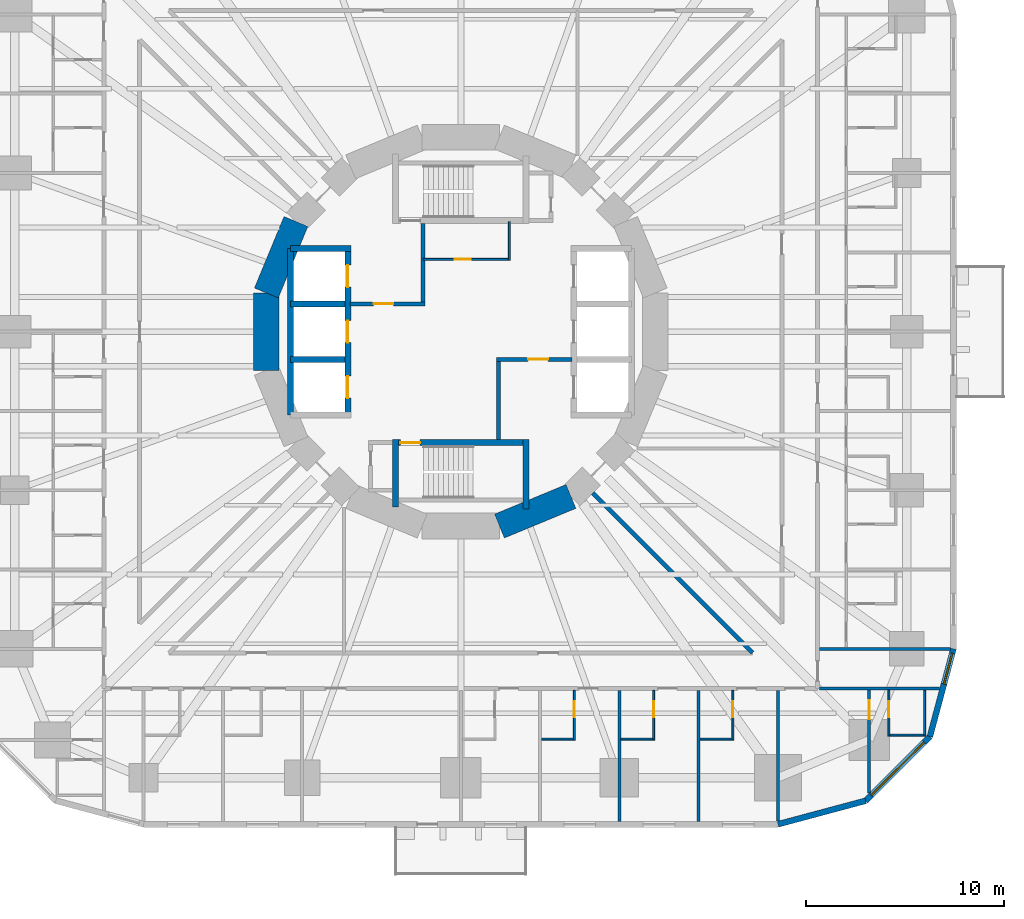
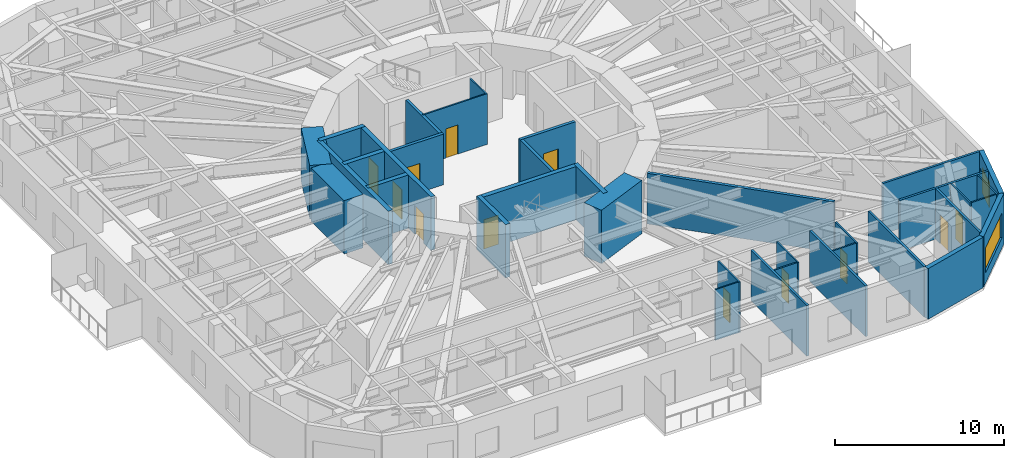
# One storey, part 7 of 14: 36 walls, 12 doors, 2 windows, 14 openings.
"""IFC4 building model written with IfcOpenShell, lengths in metres."""

from ifc_helpers import new_model, si_unit, direction, frame, frame_2d, origin, place, context, subcontext, project, spatial, rectangle, extrude, material, layer, layer_set, type_object, element, fill, save


model = new_model("IFC4")

# Units and contexts
model_context = context("Model", 3, precision=1e-05, world=origin(), true_north=direction((0.0, 1.0)))
body_context = subcontext(model_context, "Body", "Model", "MODEL_VIEW")
ifc_project = project(units=[si_unit("LENGTHUNIT", "METRE"), si_unit("AREAUNIT", "SQUARE_METRE"), si_unit("VOLUMEUNIT", "CUBIC_METRE"), si_unit("PLANEANGLEUNIT", "RADIAN"), si_unit("MASSUNIT", "GRAM", prefix="KILO")], contexts=[model_context])

# Site, building, storey
site_placement = place(None, origin())
site = spatial("IfcSite", under=ifc_project, at=site_placement, CompositionType="ELEMENT")
building_placement = place(site_placement, origin())
building = spatial("IfcBuilding", under=site, at=building_placement, Name="Nakasero Lantern House", CompositionType="ELEMENT")
storey_placement = place(building_placement, frame((0.0, 0.0, 50.64990234375)))
storey = spatial("IfcBuildingStorey", under=building, at=storey_placement, Name="L12", CompositionType="ELEMENT", Elevation=50.64990234375)

# Wall, openings, doors
ifc_material_1 = material(Name="Concrete C50/60", Category="concrete")
ifc_layer_1 = layer(ifc_material_1, 0.300048828125)
ifc_layer_set_1 = layer_set([ifc_layer_1], Name="Core inner wall 300")
wall_type_1 = type_object("IfcWallType", Name="Core inner wall 300", PredefinedType="SHEAR", material=ifc_layer_set_1)
wall_1_placement = place(storey_placement, frame((-5.699951171875, -4.199951171875, 0.0), z_axis=(0.0, 0.0, 1.0), x_axis=(0.0, 1.0, 0.0)))
wall_1 = element("IfcWall", 1, at=wall_1_placement, inside=storey, type_object=wall_type_1, Name="Core inner wall L12 LW", PredefinedType="SHEAR", context=body_context, shape_type="SweptSolid", body=[
    extrude(rectangle(XDim=8.39990234375, YDim=0.300048828125, at=frame_2d((4.199951171875, 0.0))), origin(), (0.0, 0.0, 1.0), 3.85009765625),
])
opening_1_placement = place(wall_1_placement, frame((0.85009765625, 0.0, 0.0)))
opening_1 = element("IfcOpeningElement", 2, at=opening_1_placement, cuts=wall_1, Name="Opening LD", PredefinedType="OPENING", context=body_context, shape_type="SweptSolid", body=[
    extrude(rectangle(XDim=1.10009765625, YDim=2.10009765625, at=frame_2d((0.550048828125, 1.050048828125))), frame((0.0, 0.169921875, 0.0), z_axis=(0.0, -1.0, 0.0), x_axis=(1.0, 0.0, 0.0)), (0.0, 0.0, 1.0), 0.340087890625),
])
opening_2_placement = place(wall_1_placement, frame((3.64990234375, 0.0, 0.0)))
opening_2 = element("IfcOpeningElement", 3, at=opening_2_placement, cuts=wall_1, Name="Opening LD", PredefinedType="OPENING", context=body_context, shape_type="SweptSolid", body=[
    extrude(rectangle(XDim=1.10009765625, YDim=2.10009765625, at=frame_2d((0.550048828125, 1.050048828125))), frame((0.0, 0.169921875, 0.0), z_axis=(0.0, -1.0, 0.0), x_axis=(1.0, 0.0, 0.0)), (0.0, 0.0, 1.0), 0.340087890625),
])
opening_3_placement = place(wall_1_placement, frame((6.449951171875, 0.0, 0.0)))
opening_3 = element("IfcOpeningElement", 4, at=opening_3_placement, cuts=wall_1, Name="Opening LD", PredefinedType="OPENING", context=body_context, shape_type="SweptSolid", body=[
    extrude(rectangle(XDim=1.10009765625, YDim=2.10009765625, at=frame_2d((0.550048828125, 1.050048828125))), frame((0.0, 0.169921875, 0.0), z_axis=(0.0, -1.0, 0.0), x_axis=(1.0, 0.0, 0.0)), (0.0, 0.0, 1.0), 0.340087890625),
])
ifc_material_2 = material(Name="Steel S355", Category="steel")
door_type_1 = type_object("IfcDoorType", Name="Lift landing door E120 1100", OperationType="SLIDING_TO_LEFT", PredefinedType="DOOR", material=ifc_material_2)
door_1_placement = place(opening_1_placement, origin())
door_1 = element("IfcDoor", 5, at=door_1_placement, inside=storey, type_object=door_type_1, Name="Lift landing door LW1", OperationType="SLIDING_TO_LEFT", OverallHeight=2.10009765625, OverallWidth=1.10009765625, PredefinedType="DOOR", context=body_context, shape_type="SweptSolid", body=[
    extrude(rectangle(XDim=1.10009765625, YDim=2.10009765625, at=frame_2d((0.550048828125, 1.050048828125))), frame((0.0, 0.02490234375, 0.0), z_axis=(0.0, -1.0, 0.0), x_axis=(1.0, 0.0, 0.0)), (0.0, 0.0, 1.0), 0.050048828125),
])
fill(opening_1, door_1)
door_2_placement = place(opening_2_placement, origin())
door_2 = element("IfcDoor", 6, at=door_2_placement, inside=storey, type_object=door_type_1, Name="Lift landing door LW2", OperationType="SLIDING_TO_LEFT", OverallHeight=2.10009765625, OverallWidth=1.10009765625, PredefinedType="DOOR", context=body_context, shape_type="SweptSolid", body=[
    extrude(rectangle(XDim=1.10009765625, YDim=2.10009765625, at=frame_2d((0.550048828125, 1.050048828125))), frame((0.0, 0.02490234375, 0.0), z_axis=(0.0, -1.0, 0.0), x_axis=(1.0, 0.0, 0.0)), (0.0, 0.0, 1.0), 0.050048828125),
])
fill(opening_2, door_2)
door_3_placement = place(opening_3_placement, origin())
door_3 = element("IfcDoor", 7, at=door_3_placement, inside=storey, type_object=door_type_1, Name="Lift landing door LW3", OperationType="SLIDING_TO_LEFT", OverallHeight=2.10009765625, OverallWidth=1.10009765625, PredefinedType="DOOR", context=body_context, shape_type="SweptSolid", body=[
    extrude(rectangle(XDim=1.10009765625, YDim=2.10009765625, at=frame_2d((0.550048828125, 1.050048828125))), frame((0.0, 0.02490234375, 0.0), z_axis=(0.0, -1.0, 0.0), x_axis=(1.0, 0.0, 0.0)), (0.0, 0.0, 1.0), 0.050048828125),
])
fill(opening_3, door_3)

# Walls
wall_2_placement = place(storey_placement, frame((-8.60009765625, 4.199951171875, 0.0), z_axis=(0.0, 0.0, 1.0), x_axis=(1.0, 0.0, 0.0)))
element("IfcWall", 8, at=wall_2_placement, inside=storey, type_object=wall_type_1, Name="Core inner wall L12 LWN", PredefinedType="SHEAR", context=body_context, shape_type="SweptSolid", body=[
    extrude(rectangle(XDim=3.050048828125, YDim=0.300048828125, at=frame_2d((1.52490234375, 0.0))), origin(), (0.0, 0.0, 1.0), 3.85009765625),
])
wall_3_placement = place(storey_placement, frame((-8.60009765625, -4.199951171875, 0.0), z_axis=(0.0, 0.0, 1.0), x_axis=(0.0, 1.0, 0.0)))
element("IfcWall", 9, at=wall_3_placement, inside=storey, type_object=wall_type_1, Name="Core inner wall L12 LWB", PredefinedType="SHEAR", context=body_context, shape_type="SweptSolid", body=[
    extrude(rectangle(XDim=8.39990234375, YDim=0.300048828125, at=frame_2d((4.199951171875, 0.0))), origin(), (0.0, 0.0, 1.0), 3.85009765625),
])
for number, where, z_axis, x_axis, name in (
    (10, (-8.60009765625, -1.39990234375, 0.0), (0.0, 0.0, 1.0), (1.0, 0.0, 0.0), "Core inner wall L12 LW1"),
    (11, (-8.60009765625, 1.39990234375, 0.0), (0.0, 0.0, 1.0), (1.0, 0.0, 0.0), "Core inner wall L12 LW2"),
):
    element("IfcWall", number, at=place(storey_placement, frame(where, z_axis=z_axis, x_axis=x_axis)), inside=storey, type_object=wall_type_1, Name=name, PredefinedType="SHEAR", context=body_context, shape_type="SweptSolid", body=[
        extrude(rectangle(XDim=2.75, YDim=0.300048828125, at=frame_2d((1.375, 0.0))), origin(), (0.0, 0.0, 1.0), 3.85009765625),
    ])

# Wall, opening, door
wall_4_placement = place(storey_placement, frame((-3.449951171875, -5.60009765625, 0.0), z_axis=(0.0, 0.0, 1.0), x_axis=(1.0, 0.0, 0.0)))
wall_4 = element("IfcWall", 12, at=wall_4_placement, inside=storey, type_object=wall_type_1, Name="Core inner wall L12 SS", PredefinedType="SHEAR", context=body_context, shape_type="SweptSolid", body=[
    extrude(rectangle(XDim=6.89990234375, YDim=0.300048828125, at=frame_2d((3.449951171875, 0.0))), origin(), (0.0, 0.0, 1.0), 3.85009765625),
])
opening_4_placement = place(wall_4_placement, frame((0.39990234375, 0.0, 0.0)))
opening_4 = element("IfcOpeningElement", 13, at=opening_4_placement, cuts=wall_4, Name="Opening D05", PredefinedType="OPENING", context=body_context, shape_type="SweptSolid", body=[
    extrude(rectangle(XDim=1.0, YDim=2.10009765625, at=frame_2d((0.5, 1.050048828125))), frame((0.0, 0.169921875, 0.0), z_axis=(0.0, -1.0, 0.0), x_axis=(1.0, 0.0, 0.0)), (0.0, 0.0, 1.0), 0.340087890625),
])
ifc_material_3 = material(Name="Timber C24", Category="wood")
door_type_2 = type_object("IfcDoorType", Name="Core door FD60S 1000", OperationType="SINGLE_SWING_LEFT", PredefinedType="DOOR", material=ifc_material_3)
door_4_placement = place(opening_4_placement, origin())
door_4 = element("IfcDoor", 14, at=door_4_placement, inside=storey, type_object=door_type_2, Name="Door L12 D-ST2", OperationType="SINGLE_SWING_LEFT", OverallHeight=2.10009765625, OverallWidth=1.0, PredefinedType="DOOR", context=body_context, shape_type="SweptSolid", body=[
    extrude(rectangle(XDim=1.0, YDim=2.10009765625, at=frame_2d((0.5, 1.050048828125))), frame((0.0, 0.02490234375, 0.0), z_axis=(0.0, -1.0, 0.0), x_axis=(1.0, 0.0, 0.0)), (0.0, 0.0, 1.0), 0.050048828125),
])
fill(opening_4, door_4)

# Walls
wall_5_placement = place(storey_placement, frame((-3.300048828125, -5.449951171875, 0.0), z_axis=(0.0, 0.0, 1.0), x_axis=(0.0, -1.0, 0.0)))
element("IfcWall", 15, at=wall_5_placement, inside=storey, type_object=wall_type_1, Name="Core inner wall L12 SSW", PredefinedType="SHEAR", context=body_context, shape_type="SweptSolid", body=[
    extrude(rectangle(XDim=3.400146484375, YDim=0.300048828125, at=frame_2d((1.7001953125, 0.0))), origin(), (0.0, 0.0, 1.0), 3.85009765625),
])
wall_6_placement = place(storey_placement, frame((3.300048828125, -5.449951171875, 0.0), z_axis=(0.0, 0.0, 1.0), x_axis=(0.0, -1.0, 0.0)))
element("IfcWall", 16, at=wall_6_placement, inside=storey, type_object=wall_type_1, Name="Core inner wall L12 SSE", PredefinedType="SHEAR", context=body_context, shape_type="SweptSolid", body=[
    extrude(rectangle(XDim=3.5, YDim=0.300048828125, at=frame_2d((1.75, 0.0))), origin(), (0.0, 0.0, 1.0), 3.85009765625),
])

# Wall, opening, door
ifc_material_4 = material(Name="Blockwork", Category="masonry")
ifc_layer_2 = layer(ifc_material_4, 0.10009765625)
ifc_layer_set_2 = layer_set([ifc_layer_2], Name="Core room wall 100")
wall_type_2 = type_object("IfcWallType", Name="Core room wall 100", PredefinedType="PARTITIONING", material=ifc_layer_set_2)
wall_7_placement = place(storey_placement, frame((-1.89990234375, 3.64990234375, 0.0), z_axis=(0.0, 0.0, 1.0), x_axis=(1.0, 0.0, 0.0)))
wall_7 = element("IfcWall", 17, at=wall_7_placement, inside=storey, type_object=wall_type_2, Name="Core room wall L12 CR-NES", PredefinedType="PARTITIONING", context=body_context, shape_type="SweptSolid", body=[
    extrude(rectangle(XDim=4.39990234375, YDim=0.10009765625, at=frame_2d((2.199951171875, 0.0))), origin(), (0.0, 0.0, 1.0), 3.650146484375),
])
opening_5_placement = place(wall_7_placement, frame((1.60009765625, 0.0, 0.0)))
opening_5 = element("IfcOpeningElement", 18, at=opening_5_placement, cuts=wall_7, Name="Opening D15", PredefinedType="OPENING", context=body_context, shape_type="SweptSolid", body=[
    extrude(rectangle(XDim=0.800048828125, YDim=2.10009765625, at=frame_2d((0.39990234375, 1.050048828125))), frame((0.0, 0.070068359375, 0.0), z_axis=(0.0, -1.0, 0.0), x_axis=(1.0, 0.0, 0.0)), (0.0, 0.0, 1.0), 0.14013671875),
])
ifc_material_5 = material(Name="Timber C24", Category="wood")
door_type_3 = type_object("IfcDoorType", Name="Cleaner's store door FD30S 800", OperationType="SINGLE_SWING_LEFT", PredefinedType="DOOR", material=ifc_material_5)
door_5_placement = place(opening_5_placement, origin())
door_5 = element("IfcDoor", 19, at=door_5_placement, inside=storey, type_object=door_type_3, Name="Door L12 D-CR-NE", OperationType="SINGLE_SWING_LEFT", OverallHeight=2.10009765625, OverallWidth=0.800048828125, PredefinedType="DOOR", context=body_context, shape_type="SweptSolid", body=[
    extrude(rectangle(XDim=0.800048828125, YDim=2.10009765625, at=frame_2d((0.39990234375, 1.050048828125))), frame((0.0, 0.02490234375, 0.0), z_axis=(0.0, -1.0, 0.0), x_axis=(1.0, 0.0, 0.0)), (0.0, 0.0, 1.0), 0.050048828125),
])
fill(opening_5, door_5)

# Walls
wall_8_placement = place(storey_placement, frame((2.449951171875, 3.60009765625, 0.0), z_axis=(0.0, 0.0, 1.0), x_axis=(0.0, 1.0, 0.0)))
element("IfcWall", 20, at=wall_8_placement, inside=storey, type_object=wall_type_2, Name="Core room wall L12 CR-NEE", PredefinedType="PARTITIONING", context=body_context, shape_type="SweptSolid", body=[
    extrude(rectangle(XDim=1.949951171875, YDim=0.10009765625, at=frame_2d((0.97509765625, 0.0))), origin(), (0.0, 0.0, 1.0), 3.650146484375),
])
ifc_material_6 = material(Name="Concrete C50/60", Category="concrete")
ifc_layer_3 = layer(ifc_material_6, 1.300048828125)
ifc_layer_set_3 = layer_set([ifc_layer_3], Name="Core wall 1300")
wall_type_3 = type_object("IfcWallType", Name="Core wall 1300", PredefinedType="SHEAR", material=ifc_layer_set_3)
for number, where, z_axis, x_axis, name in (
    (21, (-8.314697265625, 5.5556640625, 0.0), (0.0, 0.0, 1.0), (-0.382690736062, -0.923876507187, 0.0), "Core wall L12 facet 7"),
    (22, (-9.807861328125, 1.950927734375, 0.0), (0.0, 0.0, 1.0), (0.0, -1.0, 0.0), "Core wall L12 facet 8"),
    (23, (1.950927734375, -9.807861328125, 0.0), (0.0, 0.0, 1.0), (0.923876507187, 0.382690736062, 0.0), "Core wall L12 facet 13"),
):
    element("IfcWall", number, at=place(storey_placement, frame(where, z_axis=z_axis, x_axis=x_axis)), inside=storey, type_object=wall_type_3, Name=name, PredefinedType="SHEAR", context=body_context, shape_type="SweptSolid", body=[
        extrude(rectangle(XDim=3.90185546875, YDim=1.300048828125, at=frame_2d((1.950927734375, 0.0))), origin(), (0.0, 0.0, 1.0), 3.85009765625),
    ])
ifc_material_7 = material(Name="Blockwork", Category="masonry")
ifc_layer_4 = layer(ifc_material_7, 0.199951171875)
ifc_layer_set_4 = layer_set([ifc_layer_4], Name="Corridor wall 200")
wall_type_4 = type_object("IfcWallType", Name="Corridor wall 200", PredefinedType="PARTITIONING", material=ifc_layer_set_4)
wall_9_placement = place(storey_placement, frame((6.65234375, -8.13720703125, 0.0), z_axis=(0.0, 0.0, 1.0), x_axis=(0.707106781187, -0.707106781187, 0.0)))
element("IfcWall", 24, at=wall_9_placement, inside=storey, type_object=wall_type_4, Name="Corridor wall L12 PS14b", PredefinedType="PARTITIONING", context=body_context, shape_type="SweptSolid", body=[
    extrude(rectangle(XDim=11.40234375, YDim=0.199951171875, at=frame_2d((5.701171875, 0.0))), origin(), (0.0, 0.0, 1.0), 3.650146484375),
])

# Wall, opening, door
ifc_material_8 = material(Name="Blockwork", Category="masonry")
ifc_layer_5 = layer(ifc_material_8, 0.10009765625)
ifc_layer_set_5 = layer_set([ifc_layer_5], Name="En-suite wall 100")
wall_type_5 = type_object("IfcWallType", Name="En-suite wall 100", PredefinedType="PARTITIONING", material=ifc_layer_set_5)
wall_10_placement = place(storey_placement, frame((5.72509765625, -18.10009765625, 0.0), z_axis=(0.0, 0.0, 1.0), x_axis=(0.0, -1.0, 0.0)))
wall_10 = element("IfcWall", 25, at=wall_10_placement, inside=storey, type_object=wall_type_5, Name="En-suite wall L12 ES3-06", PredefinedType="PARTITIONING", context=body_context, shape_type="SweptSolid", body=[
    extrude(rectangle(XDim=2.5, YDim=0.10009765625, at=frame_2d((1.25, 0.0))), origin(), (0.0, 0.0, 1.0), 3.650146484375),
])
opening_6_placement = place(wall_10_placement, frame((0.550048828125, 0.0, 0.0)))
opening_6 = element("IfcOpeningElement", 26, at=opening_6_placement, cuts=wall_10, Name="Opening D02", PredefinedType="OPENING", context=body_context, shape_type="SweptSolid", body=[
    extrude(rectangle(XDim=0.800048828125, YDim=2.10009765625, at=frame_2d((0.39990234375, 1.050048828125))), frame((0.0, 0.070068359375, 0.0), z_axis=(0.0, -1.0, 0.0), x_axis=(1.0, 0.0, 0.0)), (0.0, 0.0, 1.0), 0.14013671875),
])
ifc_material_9 = material(Name="Timber C24", Category="wood")
door_type_4 = type_object("IfcDoorType", Name="En-suite door 800", OperationType="SINGLE_SWING_RIGHT", PredefinedType="DOOR", material=ifc_material_9)
door_6_placement = place(opening_6_placement, origin())
door_6 = element("IfcDoor", 27, at=door_6_placement, inside=storey, type_object=door_type_4, Name="Door L12 DE3-06", OperationType="SINGLE_SWING_LEFT", OverallHeight=2.10009765625, OverallWidth=0.800048828125, PredefinedType="DOOR", context=body_context, shape_type="SweptSolid", body=[
    extrude(rectangle(XDim=0.800048828125, YDim=2.10009765625, at=frame_2d((0.39990234375, 1.050048828125))), frame((0.0, 0.02490234375, 0.0), z_axis=(0.0, -1.0, 0.0), x_axis=(1.0, 0.0, 0.0)), (0.0, 0.0, 1.0), 0.050048828125),
])
fill(opening_6, door_6)

# Wall
wall_11_placement = place(storey_placement, frame((4.074951171875, -20.550048828125, 0.0), z_axis=(0.0, 0.0, 1.0), x_axis=(1.0, 0.0, 0.0)))
element("IfcWall", 28, at=wall_11_placement, inside=storey, type_object=wall_type_5, Name="En-suite wall L12 EE3-06", PredefinedType="PARTITIONING", context=body_context, shape_type="SweptSolid", body=[
    extrude(rectangle(XDim=1.60009765625, YDim=0.10009765625, at=frame_2d((0.800048828125, 0.0))), origin(), (0.0, 0.0, 1.0), 3.650146484375),
])

# Wall, opening, door
wall_12_placement = place(storey_placement, frame((9.72509765625, -18.10009765625, 0.0), z_axis=(0.0, 0.0, 1.0), x_axis=(0.0, -1.0, 0.0)))
wall_12 = element("IfcWall", 29, at=wall_12_placement, inside=storey, type_object=wall_type_5, Name="En-suite wall L12 ES3-07", PredefinedType="PARTITIONING", context=body_context, shape_type="SweptSolid", body=[
    extrude(rectangle(XDim=2.5, YDim=0.10009765625, at=frame_2d((1.25, 0.0))), origin(), (0.0, 0.0, 1.0), 3.650146484375),
])
opening_7_placement = place(wall_12_placement, frame((0.550048828125, 0.0, 0.0)))
opening_7 = element("IfcOpeningElement", 30, at=opening_7_placement, cuts=wall_12, Name="Opening D02", PredefinedType="OPENING", context=body_context, shape_type="SweptSolid", body=[
    extrude(rectangle(XDim=0.800048828125, YDim=2.10009765625, at=frame_2d((0.39990234375, 1.050048828125))), frame((0.0, 0.070068359375, 0.0), z_axis=(0.0, -1.0, 0.0), x_axis=(1.0, 0.0, 0.0)), (0.0, 0.0, 1.0), 0.14013671875),
])
door_7_placement = place(opening_7_placement, origin())
door_7 = element("IfcDoor", 31, at=door_7_placement, inside=storey, type_object=door_type_4, Name="Door L12 DE3-07", OperationType="SINGLE_SWING_LEFT", OverallHeight=2.10009765625, OverallWidth=0.800048828125, PredefinedType="DOOR", context=body_context, shape_type="SweptSolid", body=[
    extrude(rectangle(XDim=0.800048828125, YDim=2.10009765625, at=frame_2d((0.39990234375, 1.050048828125))), frame((0.0, 0.02490234375, 0.0), z_axis=(0.0, -1.0, 0.0), x_axis=(1.0, 0.0, 0.0)), (0.0, 0.0, 1.0), 0.050048828125),
])
fill(opening_7, door_7)

# Wall
wall_13_placement = place(storey_placement, frame((8.074951171875, -20.550048828125, 0.0), z_axis=(0.0, 0.0, 1.0), x_axis=(1.0, 0.0, 0.0)))
element("IfcWall", 32, at=wall_13_placement, inside=storey, type_object=wall_type_5, Name="En-suite wall L12 EE3-07", PredefinedType="PARTITIONING", context=body_context, shape_type="SweptSolid", body=[
    extrude(rectangle(XDim=1.60009765625, YDim=0.10009765625, at=frame_2d((0.800048828125, 0.0))), origin(), (0.0, 0.0, 1.0), 3.650146484375),
])

# Wall, opening, door
wall_14_placement = place(storey_placement, frame((13.72509765625, -18.10009765625, 0.0), z_axis=(0.0, 0.0, 1.0), x_axis=(0.0, -1.0, 0.0)))
wall_14 = element("IfcWall", 33, at=wall_14_placement, inside=storey, type_object=wall_type_5, Name="En-suite wall L12 ES3-08", PredefinedType="PARTITIONING", context=body_context, shape_type="SweptSolid", body=[
    extrude(rectangle(XDim=2.5, YDim=0.10009765625, at=frame_2d((1.25, 0.0))), origin(), (0.0, 0.0, 1.0), 3.650146484375),
])
opening_8_placement = place(wall_14_placement, frame((0.550048828125, 0.0, 0.0)))
opening_8 = element("IfcOpeningElement", 34, at=opening_8_placement, cuts=wall_14, Name="Opening D02", PredefinedType="OPENING", context=body_context, shape_type="SweptSolid", body=[
    extrude(rectangle(XDim=0.800048828125, YDim=2.10009765625, at=frame_2d((0.39990234375, 1.050048828125))), frame((0.0, 0.070068359375, 0.0), z_axis=(0.0, -1.0, 0.0), x_axis=(1.0, 0.0, 0.0)), (0.0, 0.0, 1.0), 0.14013671875),
])
door_8_placement = place(opening_8_placement, origin())
door_8 = element("IfcDoor", 35, at=door_8_placement, inside=storey, type_object=door_type_4, Name="Door L12 DE3-08", OperationType="SINGLE_SWING_LEFT", OverallHeight=2.10009765625, OverallWidth=0.800048828125, PredefinedType="DOOR", context=body_context, shape_type="SweptSolid", body=[
    extrude(rectangle(XDim=0.800048828125, YDim=2.10009765625, at=frame_2d((0.39990234375, 1.050048828125))), frame((0.0, 0.02490234375, 0.0), z_axis=(0.0, -1.0, 0.0), x_axis=(1.0, 0.0, 0.0)), (0.0, 0.0, 1.0), 0.050048828125),
])
fill(opening_8, door_8)

# Wall
wall_15_placement = place(storey_placement, frame((12.074951171875, -20.550048828125, 0.0), z_axis=(0.0, 0.0, 1.0), x_axis=(1.0, 0.0, 0.0)))
element("IfcWall", 36, at=wall_15_placement, inside=storey, type_object=wall_type_5, Name="En-suite wall L12 EE3-08", PredefinedType="PARTITIONING", context=body_context, shape_type="SweptSolid", body=[
    extrude(rectangle(XDim=1.60009765625, YDim=0.10009765625, at=frame_2d((0.800048828125, 0.0))), origin(), (0.0, 0.0, 1.0), 3.650146484375),
])

# Wall, opening, door
wall_16_placement = place(storey_placement, frame((21.59619140625, -18.06494140625, 0.0), z_axis=(0.0, 0.0, 1.0), x_axis=(0.0, -1.0, 0.0)))
wall_16 = element("IfcWall", 37, at=wall_16_placement, inside=storey, type_object=wall_type_5, Name="En-suite wall L12 ES3-09", PredefinedType="PARTITIONING", context=body_context, shape_type="SweptSolid", body=[
    extrude(rectangle(XDim=2.3349609375, YDim=0.10009765625, at=frame_2d((1.16748046875, 0.0))), origin(), (0.0, 0.0, 1.0), 3.650146484375),
])
opening_9_placement = place(wall_16_placement, frame((0.5849609375, 0.0, 0.0)))
opening_9 = element("IfcOpeningElement", 38, at=opening_9_placement, cuts=wall_16, Name="Opening D02", PredefinedType="OPENING", context=body_context, shape_type="SweptSolid", body=[
    extrude(rectangle(XDim=0.800048828125, YDim=2.10009765625, at=frame_2d((0.39990234375, 1.050048828125))), frame((0.0, 0.070068359375, 0.0), z_axis=(0.0, -1.0, 0.0), x_axis=(1.0, 0.0, 0.0)), (0.0, 0.0, 1.0), 0.14013671875),
])
door_9_placement = place(opening_9_placement, origin())
door_9 = element("IfcDoor", 39, at=door_9_placement, inside=storey, type_object=door_type_4, Name="Door L12 DE3-09", OperationType="SINGLE_SWING_LEFT", OverallHeight=2.10009765625, OverallWidth=0.800048828125, PredefinedType="DOOR", context=body_context, shape_type="SweptSolid", body=[
    extrude(rectangle(XDim=0.800048828125, YDim=2.10009765625, at=frame_2d((0.39990234375, 1.050048828125))), frame((0.0, 0.02490234375, 0.0), z_axis=(0.0, -1.0, 0.0), x_axis=(1.0, 0.0, 0.0)), (0.0, 0.0, 1.0), 0.050048828125),
])
fill(opening_9, door_9)

# Walls
wall_17_placement = place(storey_placement, frame((21.646240234375, -20.35009765625, 0.0), z_axis=(0.0, 0.0, 1.0), x_axis=(1.0, 0.0, 0.0)))
element("IfcWall", 40, at=wall_17_placement, inside=storey, type_object=wall_type_5, Name="En-suite wall L12 EE3-09", PredefinedType="PARTITIONING", context=body_context, shape_type="SweptSolid", body=[
    extrude(rectangle(XDim=1.699951171875, YDim=0.10009765625, at=frame_2d((0.85009765625, 0.0))), origin(), (0.0, 0.0, 1.0), 3.650146484375),
])
wall_18_placement = place(storey_placement, frame((23.396240234375, -18.10009765625, 0.0), z_axis=(0.0, 0.0, 1.0), x_axis=(0.0, -1.0, 0.0)))
element("IfcWall", 41, at=wall_18_placement, inside=storey, type_object=wall_type_5, Name="En-suite wall L12 EV3-09", PredefinedType="PARTITIONING", context=body_context, shape_type="SweptSolid", body=[
    extrude(rectangle(XDim=2.2998046875, YDim=0.10009765625, at=frame_2d((1.14990234375, 0.0))), origin(), (0.0, 0.0, 1.0), 3.650146484375),
])
ifc_material_10 = material(Name="Aluminium rainscreen on blockwork", Category="masonry")
ifc_layer_6 = layer(ifc_material_10, 0.300048828125)
ifc_layer_set_6 = layer_set([ifc_layer_6], Name="Facade wall 300")
wall_type_6 = type_object("IfcWallType", Name="Facade wall 300", PredefinedType="SOLIDWALL", material=ifc_layer_set_6)
wall_19_placement = place(storey_placement, frame((16.0, -24.85009765625, 0.0), z_axis=(0.0, 0.0, 1.0), x_axis=(0.965920218567, 0.258839972501, 0.0)))
element("IfcWall", 42, at=wall_19_placement, inside=storey, type_object=wall_type_6, Name="Facade wall L12 FW3C1", PredefinedType="SOLIDWALL", context=body_context, shape_type="SweptSolid", body=[
    extrude(rectangle(XDim=4.5810546875, YDim=0.300048828125, at=frame_2d((2.29052734375, 0.0))), origin(), (0.0, 0.0, 1.0), 3.650146484375),
])

# Wall, opening, window
wall_20_placement = place(storey_placement, frame((20.425048828125, -23.664306640625, 0.0), z_axis=(0.0, 0.0, 1.0), x_axis=(0.707106781187, 0.707106781187, 0.0)))
wall_20 = element("IfcWall", 43, at=wall_20_placement, inside=storey, type_object=wall_type_6, Name="Facade wall L12 FW3C2", PredefinedType="SOLIDWALL", context=body_context, shape_type="SweptSolid", body=[
    extrude(rectangle(XDim=4.5810546875, YDim=0.300048828125, at=frame_2d((2.29052734375, 0.0))), origin(), (0.0, 0.0, 1.0), 3.650146484375),
])
opening_10_placement = place(wall_20_placement, frame((0.39990234375, 0.0, 0.75)))
opening_10 = element("IfcOpeningElement", 44, at=opening_10_placement, cuts=wall_20, Name="Opening W237", PredefinedType="OPENING", context=body_context, shape_type="SweptSolid", body=[
    extrude(rectangle(XDim=3.781005859375, YDim=1.800048828125, at=frame_2d((1.890625, 0.89990234375))), frame((0.0, 0.169921875, 0.0), z_axis=(0.0, -1.0, 0.0), x_axis=(1.0, 0.0, 0.0)), (0.0, 0.0, 1.0), 0.340087890625),
])
ifc_material_11 = material(Name="Aluminium 6063-T6 and glass", Category="aluminium")
window_type_1 = type_object("IfcWindowType", Name="Corner window 3781x1800", PartitioningType="SINGLE_PANEL", PredefinedType="WINDOW", material=ifc_material_11)
window_1_placement = place(opening_10_placement, origin())
window_1 = element("IfcWindow", 45, at=window_1_placement, inside=storey, type_object=window_type_1, Name="Window L12 WC3", OverallHeight=1.800048828125, OverallWidth=3.781005859375, PartitioningType="SINGLE_PANEL", PredefinedType="WINDOW", context=body_context, shape_type="SweptSolid", body=[
    extrude(rectangle(XDim=3.781005859375, YDim=1.800048828125, at=frame_2d((1.890625, 0.89990234375))), frame((0.0, 0.030029296875, 0.0), z_axis=(0.0, -1.0, 0.0), x_axis=(1.0, 0.0, 0.0)), (0.0, 0.0, 1.0), 0.06005859375),
])
fill(opening_10, window_1)

wall_21_placement = place(storey_placement, frame((23.664306640625, -20.425048828125, 0.0), z_axis=(0.0, 0.0, 1.0), x_axis=(0.258839972501, 0.965920218567, 0.0)))
wall_21 = element("IfcWall", 46, at=wall_21_placement, inside=storey, type_object=wall_type_6, Name="Facade wall L12 FW3C3", PredefinedType="SOLIDWALL", context=body_context, shape_type="SweptSolid", body=[
    extrude(rectangle(XDim=4.5810546875, YDim=0.300048828125, at=frame_2d((2.29052734375, 0.0))), origin(), (0.0, 0.0, 1.0), 3.650146484375),
])
opening_11_placement = place(wall_21_placement, frame((2.74609375, 0.0, 0.75)))
opening_11 = element("IfcOpeningElement", 47, at=opening_11_placement, cuts=wall_21, Name="Opening W01", PredefinedType="OPENING", context=body_context, shape_type="SweptSolid", body=[
    extrude(rectangle(XDim=1.60009765625, YDim=1.800048828125, at=frame_2d((0.800048828125, 0.89990234375))), frame((0.0, 0.169921875, 0.0), z_axis=(0.0, -1.0, 0.0), x_axis=(1.0, 0.0, 0.0)), (0.0, 0.0, 1.0), 0.340087890625),
])
ifc_material_12 = material(Name="Aluminium 6063-T6 and glass", Category="aluminium")
window_type_2 = type_object("IfcWindowType", Name="Bedroom window 1600x1800", PartitioningType="SINGLE_PANEL", PredefinedType="WINDOW", material=ifc_material_12)
window_2_placement = place(opening_11_placement, origin())
window_2 = element("IfcWindow", 48, at=window_2_placement, inside=storey, type_object=window_type_2, Name="Window L12 WN0-00", OverallHeight=1.800048828125, OverallWidth=1.60009765625, PartitioningType="SINGLE_PANEL", PredefinedType="WINDOW", context=body_context, shape_type="SweptSolid", body=[
    extrude(rectangle(XDim=1.60009765625, YDim=1.800048828125, at=frame_2d((0.800048828125, 0.89990234375))), frame((0.0, 0.030029296875, 0.0), z_axis=(0.0, -1.0, 0.0), x_axis=(1.0, 0.0, 0.0)), (0.0, 0.0, 1.0), 0.06005859375),
])
fill(opening_11, window_2)

# Wall, opening, door
ifc_material_13 = material(Name="Blockwork", Category="masonry")
ifc_layer_7 = layer(ifc_material_13, 0.199951171875)
ifc_layer_set_7 = layer_set([ifc_layer_7], Name="Fire lobby wall 200")
wall_type_7 = type_object("IfcWallType", Name="Fire lobby wall 200", PredefinedType="PARTITIONING", material=ifc_layer_set_7)
wall_22_placement = place(storey_placement, frame((-5.60009765625, 1.39990234375, 0.0), z_axis=(0.0, 0.0, 1.0), x_axis=(1.0, 0.0, 0.0)))
wall_22 = element("IfcWall", 49, at=wall_22_placement, inside=storey, type_object=wall_type_7, Name="Fire lobby wall L12 W-FL1S", PredefinedType="PARTITIONING", context=body_context, shape_type="SweptSolid", body=[
    extrude(rectangle(XDim=3.800048828125, YDim=0.199951171875, at=frame_2d((1.89990234375, 0.0))), origin(), (0.0, 0.0, 1.0), 3.650146484375),
])
opening_12_placement = place(wall_22_placement, frame((1.199951171875, 0.0, 0.0)))
opening_12 = element("IfcOpeningElement", 50, at=opening_12_placement, cuts=wall_22, Name="Opening D05", PredefinedType="OPENING", context=body_context, shape_type="SweptSolid", body=[
    extrude(rectangle(XDim=1.0, YDim=2.10009765625, at=frame_2d((0.5, 1.050048828125))), frame((0.0, 0.119873046875, 0.0), z_axis=(0.0, -1.0, 0.0), x_axis=(1.0, 0.0, 0.0)), (0.0, 0.0, 1.0), 0.239990234375),
])
door_10_placement = place(opening_12_placement, origin())
door_10 = element("IfcDoor", 51, at=door_10_placement, inside=storey, type_object=door_type_2, Name="Door L12 D-FL1", OperationType="SINGLE_SWING_LEFT", OverallHeight=2.10009765625, OverallWidth=1.0, PredefinedType="DOOR", context=body_context, shape_type="SweptSolid", body=[
    extrude(rectangle(XDim=1.0, YDim=2.10009765625, at=frame_2d((0.5, 1.050048828125))), frame((0.0, 0.02490234375, 0.0), z_axis=(0.0, -1.0, 0.0), x_axis=(1.0, 0.0, 0.0)), (0.0, 0.0, 1.0), 0.050048828125),
])
fill(opening_12, door_10)

# Wall
wall_23_placement = place(storey_placement, frame((-1.89990234375, 1.5, 0.0), z_axis=(0.0, 0.0, 1.0), x_axis=(0.0, 1.0, 0.0)))
element("IfcWall", 52, at=wall_23_placement, inside=storey, type_object=wall_type_7, Name="Fire lobby wall L12 W-FL1E", PredefinedType="PARTITIONING", context=body_context, shape_type="SweptSolid", body=[
    extrude(rectangle(XDim=3.949951171875, YDim=0.199951171875, at=frame_2d((1.97509765625, 0.0))), origin(), (0.0, 0.0, 1.0), 3.650146484375),
])

# Wall, opening, door
wall_24_placement = place(storey_placement, frame((5.60009765625, -1.39990234375, 0.0), z_axis=(0.0, 0.0, 1.0), x_axis=(-1.0, 0.0, 0.0)))
wall_24 = element("IfcWall", 53, at=wall_24_placement, inside=storey, type_object=wall_type_7, Name="Fire lobby wall L12 W-FL2N", PredefinedType="PARTITIONING", context=body_context, shape_type="SweptSolid", body=[
    extrude(rectangle(XDim=3.800048828125, YDim=0.199951171875, at=frame_2d((1.89990234375, 0.0))), origin(), (0.0, 0.0, 1.0), 3.650146484375),
])
opening_13_placement = place(wall_24_placement, frame((1.199951171875, 0.0, 0.0)))
opening_13 = element("IfcOpeningElement", 54, at=opening_13_placement, cuts=wall_24, Name="Opening D05", PredefinedType="OPENING", context=body_context, shape_type="SweptSolid", body=[
    extrude(rectangle(XDim=1.0, YDim=2.10009765625, at=frame_2d((0.5, 1.050048828125))), frame((0.0, 0.119873046875, 0.0), z_axis=(0.0, -1.0, 0.0), x_axis=(1.0, 0.0, 0.0)), (0.0, 0.0, 1.0), 0.239990234375),
])
door_11_placement = place(opening_13_placement, origin())
door_11 = element("IfcDoor", 55, at=door_11_placement, inside=storey, type_object=door_type_2, Name="Door L12 D-FL2", OperationType="SINGLE_SWING_LEFT", OverallHeight=2.10009765625, OverallWidth=1.0, PredefinedType="DOOR", context=body_context, shape_type="SweptSolid", body=[
    extrude(rectangle(XDim=1.0, YDim=2.10009765625, at=frame_2d((0.5, 1.050048828125))), frame((0.0, 0.02490234375, 0.0), z_axis=(0.0, -1.0, 0.0), x_axis=(1.0, 0.0, 0.0)), (0.0, 0.0, 1.0), 0.050048828125),
])
fill(opening_13, door_11)

# Walls
wall_25_placement = place(storey_placement, frame((1.89990234375, -1.5, 0.0), z_axis=(0.0, 0.0, 1.0), x_axis=(0.0, -1.0, 0.0)))
element("IfcWall", 56, at=wall_25_placement, inside=storey, type_object=wall_type_7, Name="Fire lobby wall L12 W-FL2W", PredefinedType="PARTITIONING", context=body_context, shape_type="SweptSolid", body=[
    extrude(rectangle(XDim=3.949951171875, YDim=0.199951171875, at=frame_2d((1.97509765625, 0.0))), origin(), (0.0, 0.0, 1.0), 3.650146484375),
])
ifc_material_14 = material(Name="Blockwork", Category="masonry")
ifc_layer_8 = layer(ifc_material_14, 0.14990234375)
ifc_layer_set_8 = layer_set([ifc_layer_8], Name="Party wall 150")
wall_type_8 = type_object("IfcWallType", Name="Party wall 150", PredefinedType="PARTITIONING", material=ifc_layer_set_8)
wall_26_placement = place(storey_placement, frame((18.10009765625, -18.0, 0.0), z_axis=(0.0, 0.0, 1.0), x_axis=(1.0, 0.0, 0.0)))
element("IfcWall", 57, at=wall_26_placement, inside=storey, type_object=wall_type_8, Name="Party wall L12 PW0-00", PredefinedType="PARTITIONING", context=body_context, shape_type="SweptSolid", body=[
    extrude(rectangle(XDim=6.053466796875, YDim=0.14990234375, at=frame_2d((3.02685546875, 0.0))), origin(), (0.0, 0.0, 1.0), 3.650146484375),
])
wall_27_placement = place(storey_placement, frame((18.10009765625, -16.0, 0.0), z_axis=(0.0, 0.0, 1.0), x_axis=(1.0, 0.0, 0.0)))
element("IfcWall", 58, at=wall_27_placement, inside=storey, type_object=wall_type_8, Name="Party wall L12 PW0-01", PredefinedType="PARTITIONING", context=body_context, shape_type="SweptSolid", body=[
    extrude(rectangle(XDim=6.58935546875, YDim=0.14990234375, at=frame_2d((3.294677734375, 0.0))), origin(), (0.0, 0.0, 1.0), 3.650146484375),
])
for number, where, z_axis, x_axis, name in (
    (59, (8.0, -18.10009765625, 0.0), (0.0, 0.0, 1.0), (0.0, -1.0, 0.0), "Party wall L12 PW3-07"),
    (60, (12.0, -18.10009765625, 0.0), (0.0, 0.0, 1.0), (0.0, -1.0, 0.0), "Party wall L12 PW3-08"),
):
    element("IfcWall", number, at=place(storey_placement, frame(where, z_axis=z_axis, x_axis=x_axis)), inside=storey, type_object=wall_type_8, Name=name, PredefinedType="PARTITIONING", context=body_context, shape_type="SweptSolid", body=[
        extrude(rectangle(XDim=6.599853515625, YDim=0.14990234375, at=frame_2d((3.2998046875, 0.0))), origin(), (0.0, 0.0, 1.0), 3.650146484375),
    ])
wall_28_placement = place(storey_placement, frame((16.0, -18.10009765625, 0.0), z_axis=(0.0, 0.0, 1.0), x_axis=(0.0, -1.0, 0.0)))
element("IfcWall", 61, at=wall_28_placement, inside=storey, type_object=wall_type_8, Name="Party wall L12 PW3-09", PredefinedType="PARTITIONING", context=body_context, shape_type="SweptSolid", body=[
    extrude(rectangle(XDim=6.58935546875, YDim=0.14990234375, at=frame_2d((3.294677734375, 0.0))), origin(), (0.0, 0.0, 1.0), 3.650146484375),
])

# Wall, opening, door
wall_29_placement = place(storey_placement, frame((20.59619140625, -18.06494140625, 0.0), z_axis=(0.0, 0.0, 1.0), x_axis=(0.0, -1.0, 0.0)))
wall_29 = element("IfcWall", 62, at=wall_29_placement, inside=storey, type_object=wall_type_8, Name="Party wall L12 PC3", PredefinedType="PARTITIONING", context=body_context, shape_type="SweptSolid", body=[
    extrude(rectangle(XDim=5.208740234375, YDim=0.14990234375, at=frame_2d((2.6044921875, 0.0))), origin(), (0.0, 0.0, 1.0), 3.650146484375),
])
opening_14_placement = place(wall_29_placement, frame((0.534912109375, 0.0, 0.0)))
opening_14 = element("IfcOpeningElement", 63, at=opening_14_placement, cuts=wall_29, Name="Opening D01", PredefinedType="OPENING", context=body_context, shape_type="SweptSolid", body=[
    extrude(rectangle(XDim=0.949951171875, YDim=2.10009765625, at=frame_2d((0.47509765625, 1.050048828125))), frame((0.0, 0.094970703125, 0.0), z_axis=(0.0, -1.0, 0.0), x_axis=(1.0, 0.0, 0.0)), (0.0, 0.0, 1.0), 0.18994140625),
])
ifc_material_15 = material(Name="Timber C24", Category="wood")
door_type_5 = type_object("IfcDoorType", Name="Bedroom door FD30S 950", OperationType="SINGLE_SWING_LEFT", PredefinedType="DOOR", material=ifc_material_15)
door_12_placement = place(opening_14_placement, origin())
door_12 = element("IfcDoor", 64, at=door_12_placement, inside=storey, type_object=door_type_5, Name="Door L12 DC3", OperationType="SINGLE_SWING_LEFT", OverallHeight=2.10009765625, OverallWidth=0.949951171875, PredefinedType="DOOR", context=body_context, shape_type="SweptSolid", body=[
    extrude(rectangle(XDim=0.949951171875, YDim=2.10009765625, at=frame_2d((0.47509765625, 1.050048828125))), frame((0.0, 0.02490234375, 0.0), z_axis=(0.0, -1.0, 0.0), x_axis=(1.0, 0.0, 0.0)), (0.0, 0.0, 1.0), 0.050048828125),
])
fill(opening_14, door_12)

save(model, "model.ifc")
